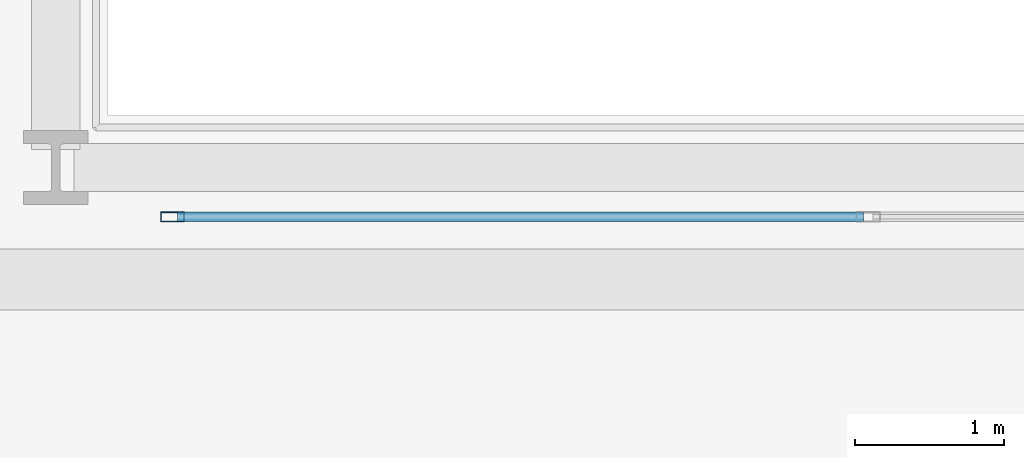
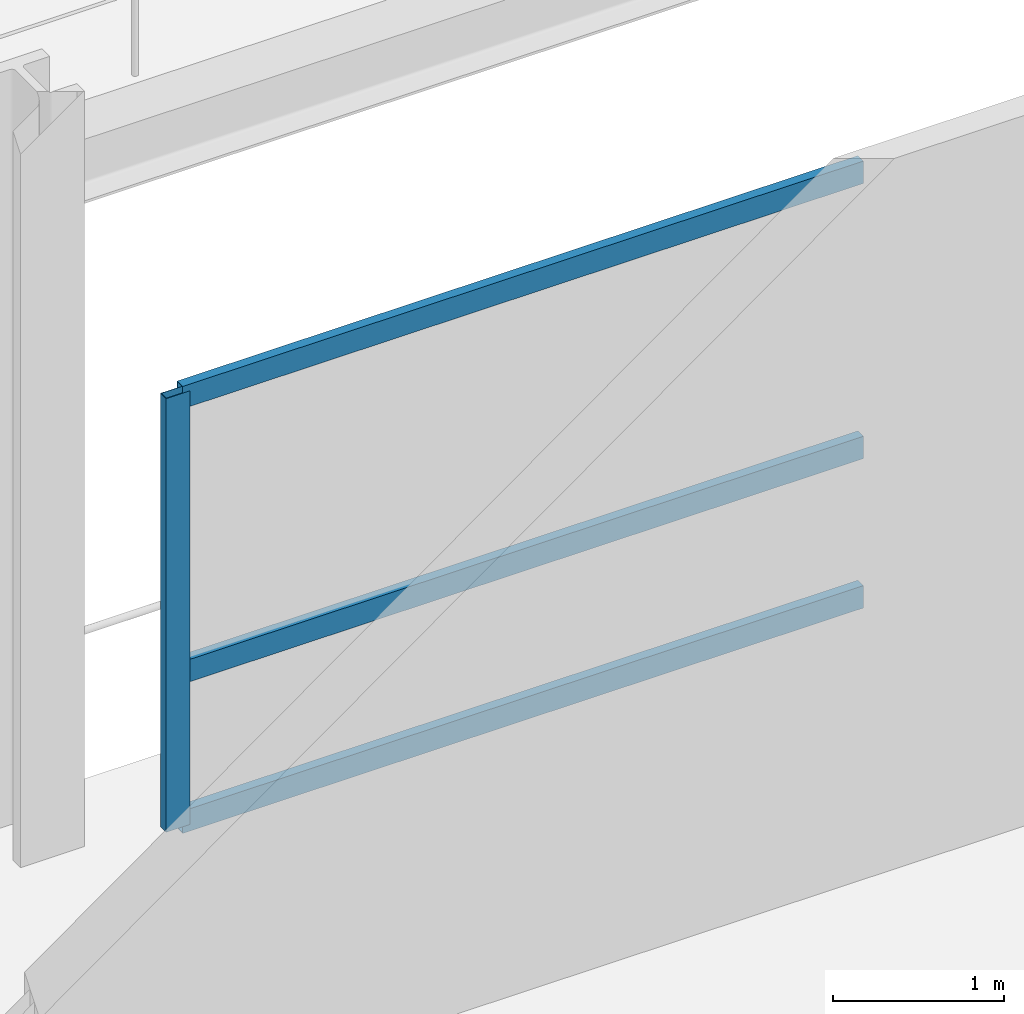
# One storey, part 10 of 31: 4 members, 1 element without a shape of its own.
"""IFC4 building model written with IfcOpenShell, lengths in metres."""

import ifcopenshell
import ifcopenshell.guid

model = None  # the IFC model being written
_history = None  # IfcOwnerHistory: only IFC2X3 demands one
_inside = {}  # id of a spatial element -> (the spatial element, [elements in it])
_under = {}  # id of a project, library or spatial element -> (it, [spatial elements below it])
_declared = {}  # id of a project -> (the project, [libraries it declares])
_typed = {}  # id of a type object -> (the type object, [elements of that type])
_made_of = {}  # id of a material, layer set ... -> (it, [elements and type objects made of it])


def new_model(schema):
    """Start an empty IFC model of exactly this schema.

    Asked for "IFC4X3", IfcOpenShell would pick the latest addendum, in which some entities
    have other attributes; the version numbers below select the first issue.
    IFC2X3 requires an IfcOwnerHistory on every rooted entity: one is made here for all.
    """
    global model, _history
    if schema == "IFC4X3":
        model = ifcopenshell.file(schema_version=(4, 3, 0, 0))
    else:
        model = ifcopenshell.file(schema=schema)
    _inside.clear()
    _under.clear()
    _declared.clear()
    _typed.clear()
    _made_of.clear()
    _history = None
    if model.schema == "IFC2X3":
        org = make("IfcOrganization", Name="unknown")
        user = make(
            "IfcPersonAndOrganization",
            ThePerson=make("IfcPerson", FamilyName="unknown"),
            TheOrganization=org,
        )
        app = make(
            "IfcApplication",
            ApplicationDeveloper=org,
            Version="unknown",
            ApplicationFullName="unknown",
            ApplicationIdentifier="unknown",
        )
        _history = make(
            "IfcOwnerHistory",
            OwningUser=user,
            OwningApplication=app,
            ChangeAction="ADDED",
            CreationDate=0,
        )
    return model


def make(cls, **values):
    """One entity of the class cls with the attributes given. An attribute that is None is left unset."""
    return model.create_entity(
        cls, **{name: value for name, value in values.items() if value is not None}
    )


def rooted(cls, **values):
    """An entity with a GlobalId (a new one), such as an element, a storey or a relation."""
    return make(cls, GlobalId=ifcopenshell.guid.new(), OwnerHistory=_history, **values)


def si_unit(unit_type, name, prefix=None):
    """IfcSIUnit, for example si_unit("LENGTHUNIT", "METRE", prefix="MILLI")."""
    return make("IfcSIUnit", UnitType=unit_type, Prefix=prefix, Name=name)


def assignment(units):
    """IfcUnitAssignment: the units of a project."""
    return None if units is None else make("IfcUnitAssignment", Units=units)


def point(xyz):
    """IfcCartesianPoint."""
    return None if xyz is None else make("IfcCartesianPoint", Coordinates=xyz)


def direction(xyz):
    """IfcDirection."""
    return None if xyz is None else make("IfcDirection", DirectionRatios=xyz)


def frame(location, z_axis=None, x_axis=None):
    """IfcAxis2Placement3D, a coordinate frame: its origin and axes. An axis left out is left unset."""
    return make(
        "IfcAxis2Placement3D",
        Location=point(location),
        Axis=direction(z_axis),
        RefDirection=direction(x_axis),
    )


def frame_2d(location, x_axis=None):
    """IfcAxis2Placement2D, a coordinate frame in the plane: its origin and x axis."""
    return make(
        "IfcAxis2Placement2D", Location=point(location), RefDirection=direction(x_axis)
    )


def origin():
    """The frame at (0, 0, 0) with its axes left unset."""
    return frame((0.0, 0.0, 0.0))


def origin_2d():
    """The frame at (0, 0) in the plane with its x axis left unset."""
    return frame_2d((0.0, 0.0))


def place(relative_to, where):
    """IfcLocalPlacement: puts the frame where relative to a parent placement (None: the world)."""
    return make(
        "IfcLocalPlacement", PlacementRelTo=relative_to, RelativePlacement=where
    )


def context(
    kind, dimensions, precision=None, world=None, true_north=None, identifier=None
):
    """IfcGeometricRepresentationContext, for example the 3D "Model" context."""
    return make(
        "IfcGeometricRepresentationContext",
        ContextIdentifier=identifier,
        ContextType=kind,
        CoordinateSpaceDimension=dimensions,
        Precision=precision,
        WorldCoordinateSystem=world,
        TrueNorth=true_north,
    )


def subcontext(parent, identifier, kind, view, scale=None):
    """IfcGeometricRepresentationSubContext, for example "Body" below "Model"."""
    return make(
        "IfcGeometricRepresentationSubContext",
        ContextIdentifier=identifier,
        ContextType=kind,
        ParentContext=parent,
        TargetScale=scale,
        TargetView=view,
    )


def project(units=None, contexts=None):
    """IfcProject with its units and contexts."""
    return rooted(
        "IfcProject",
        Name="project",
        RepresentationContexts=contexts,
        UnitsInContext=assignment(units),
    )


def spatial(cls, under=None, at=None, **own):
    """A site, building, storey or space (cls), placed at a placement, below another one or the project."""
    s = rooted(cls, ObjectPlacement=at, **own)
    if under is not None:
        _under.setdefault(under.id(), (under, []))[1].append(s)
    return s


def profile(cls, at=None, kind="AREA", **sizes):
    """A parametric profile (cls). Its sizes go by their IFC names, for example OverallWidth=200.0."""
    return make(cls, ProfileType=kind, Position=at, **sizes)


def hollow_rectangle(**sizes):
    """IfcRectangleHollowProfileDef."""
    return profile("IfcRectangleHollowProfileDef", **sizes)


def extrude(swept, where, along, depth):
    """IfcExtrudedAreaSolid: the profile swept, set in the frame where, extruded along a direction by depth."""
    return make(
        "IfcExtrudedAreaSolid",
        SweptArea=swept,
        Position=where,
        ExtrudedDirection=direction(along),
        Depth=depth,
    )


def shape(context_of_items, identifier, shape_type, items):
    """IfcShapeRepresentation: the items that make up one representation, for example the "Body"."""
    return make(
        "IfcShapeRepresentation",
        ContextOfItems=context_of_items,
        RepresentationIdentifier=identifier,
        RepresentationType=shape_type,
        Items=items,
    )


def material(Name=None, Category=None):
    """IfcMaterial."""
    return make("IfcMaterial", Name=Name, Category=Category)


def layer(
    of_material, thickness, ventilated=None, Name=None, Category=None, Priority=None
):
    """IfcMaterialLayer: one layer of a wall or slab, of a material (None: an air gap)."""
    return make(
        "IfcMaterialLayer",
        Material=of_material,
        LayerThickness=thickness,
        IsVentilated=ventilated,
        Name=Name,
        Category=Category,
        Priority=Priority,
    )


def layer_set(layers, Name=None):
    """IfcMaterialLayerSet."""
    return make("IfcMaterialLayerSet", MaterialLayers=layers, LayerSetName=Name)


def material_profile(
    of_material, cross_section, Name=None, Category=None, Priority=None
):
    """IfcMaterialProfile: a cross section and its material."""
    return make(
        "IfcMaterialProfile",
        Name=Name,
        Material=of_material,
        Profile=cross_section,
        Priority=Priority,
        Category=Category,
    )


def profile_set(profiles, Name=None, composite=None):
    """IfcMaterialProfileSet."""
    return make(
        "IfcMaterialProfileSet",
        Name=Name,
        MaterialProfiles=profiles,
        CompositeProfile=composite,
    )


def made_of(thing, what):
    """Note that an element or type object is made of a material, layer set ...; save() writes the relation."""
    if what is not None:
        _made_of.setdefault(what.id(), (what, []))[1].append(thing)
    return thing


def type_object(cls, material=None, **own):
    """A type object (cls), such as IfcWallType, which elements share."""
    return made_of(rooted(cls, **own), material)


def element(
    cls,
    number,
    at=None,
    inside=None,
    cuts=None,
    type_object=None,
    material=None,
    context=None,
    identifier="Body",
    shape_type=None,
    held_by="IfcProductDefinitionShape",
    body=None,
    shapes=None,
    **own,
):
    """One element of the class cls, such as IfcWall. Its Tag is "e" and its number.

    at: its placement. inside: the storey or other place that contains it. cuts: it is an
    opening in that element (IfcRelVoidsElement). A single representation is given by context,
    identifier, shape_type and body (its items); several are given by shapes. held_by: the class
    of the entity that holds the representations. save() writes the other relations.
    """
    e = rooted(cls, Tag="e%d" % number, ObjectPlacement=at, **own)
    if body is not None:
        shapes = [shape(context, identifier, shape_type, body)]
    if shapes is not None:
        e.Representation = make(held_by, Representations=shapes)
    if inside is not None:
        _inside.setdefault(inside.id(), (inside, []))[1].append(e)
    if cuts is not None:
        rooted(
            "IfcRelVoidsElement", RelatingBuildingElement=cuts, RelatedOpeningElement=e
        )
    if type_object is not None:
        _typed.setdefault(type_object.id(), (type_object, []))[1].append(e)
    return made_of(e, material)


def aggregate(whole, parts):
    """IfcRelAggregates: a whole, such as a stair, and the parts it consists of."""
    return rooted("IfcRelAggregates", RelatingObject=whole, RelatedObjects=parts)


def save(model, path):
    """Write the relations noted so far, then the file.

    IfcRelAggregates (storeys below a building ...), IfcRelContainedInSpatialStructure (elements
    in a storey), IfcRelDefinesByType, IfcRelAssociatesMaterial and IfcRelDeclares: one each for
    every whole, place, type object, material and project.
    """
    for whole, parts in _under.values():
        aggregate(whole, parts)
    for where, things in _inside.values():
        rooted(
            "IfcRelContainedInSpatialStructure",
            RelatedElements=things,
            RelatingStructure=where,
        )
    for kind, things in _typed.values():
        rooted("IfcRelDefinesByType", RelatedObjects=things, RelatingType=kind)
    for what, things in _made_of.values():
        rooted("IfcRelAssociatesMaterial", RelatedObjects=things, RelatingMaterial=what)
    for by, libraries in _declared.values():
        rooted("IfcRelDeclares", RelatingContext=by, RelatedDefinitions=libraries)
    model.write(path)


model = new_model("IFC4")

# Units and contexts
model_context = context("Model", 3, precision=1e-05, world=origin(), true_north=direction((0.0, 1.0)))
body_context = subcontext(model_context, "Body", "Model", "MODEL_VIEW")
ifc_project = project(units=[si_unit("LENGTHUNIT", "METRE"), si_unit("AREAUNIT", "SQUARE_METRE"), si_unit("VOLUMEUNIT", "CUBIC_METRE"), si_unit("PLANEANGLEUNIT", "RADIAN"), si_unit("MASSUNIT", "GRAM", prefix="KILO")], contexts=[model_context])

# Site, building, storey
site_placement = place(None, origin())
site = spatial("IfcSite", under=ifc_project, at=site_placement, CompositionType="ELEMENT")
building_placement = place(site_placement, origin())
building = spatial("IfcBuilding", under=site, at=building_placement, Name="Varnelok Gate Tower", CompositionType="ELEMENT")
storey_placement = place(building_placement, frame((0.0, 0.0, 16.199951171875)))
storey = spatial("IfcBuildingStorey", under=building, at=storey_placement, Name="L03", CompositionType="ELEMENT", Elevation=16.199951171875)

# Curtain wall, members
ifc_material = material(Name="Anodized Aluminum Alloy 6063-T6", Category="aluminium")
ifc_layer = layer(ifc_material, 0.179931640625)
ifc_layer_set = layer_set([ifc_layer], Name="Anodized Aluminum Alloy 6063-T6")
curtain_wall_type = type_object("IfcCurtainWallType", Name="CW2-ATRIUM-GLAZING", PredefinedType="USERDEFINED", material=ifc_layer_set)
curtain_wall_placement = place(storey_placement, origin())
curtain_wall = element("IfcCurtainWall", 1, at=curtain_wall_placement, inside=storey, type_object=curtain_wall_type, Name="L03 Internal Atrium Gallery Curtain Wall", ObjectType="UNITISED CURTAIN WALL", PredefinedType="USERDEFINED")
ifc_material_profile_1 = material_profile(ifc_material, hollow_rectangle(XDim=0.06494140625, YDim=0.159912109375, WallThickness=0.00390625, at=origin_2d()), Name="ALU160X65X4")
ifc_profile_set_1 = profile_set([ifc_material_profile_1], Name="Anodized Aluminum Alloy 6063-T6")
member_type_1 = type_object("IfcMemberType", Name="CW-MULL-160", PredefinedType="MULLION", material=ifc_profile_set_1)
member_1_placement = place(storey_placement, frame((34.532470703125, 19.219970703125, 0.0), z_axis=(0.0, 0.0, 1.0), x_axis=(0.0, 1.0, 0.0)))
member_1 = element("IfcMember", 2, at=member_1_placement, type_object=member_type_1, Name="CW2 mullion 1", PredefinedType="MULLION", context=body_context, shape_type="SweptSolid", body=[
    extrude(hollow_rectangle(XDim=0.06494140625, YDim=0.159912109375, WallThickness=0.00390625, at=origin_2d()), origin(), (0.0, 0.0, 1.0), 3.10009765625),
])
ifc_material_profile_2 = material_profile(ifc_material, hollow_rectangle(XDim=0.06494140625, YDim=0.159912109375, WallThickness=0.00390625, at=origin_2d()), Name="ALU160X65X4")
ifc_profile_set_2 = profile_set([ifc_material_profile_2], Name="Anodized Aluminum Alloy 6063-T6")
member_type_2 = type_object("IfcMemberType", Name="CW-TRAN-160", PredefinedType="USERDEFINED", material=ifc_profile_set_2)
member_2_placement = place(storey_placement, frame((34.56494140625, 19.219970703125, 0.032470703125), z_axis=(1.0, 0.0, 0.0), x_axis=(0.0, 1.0, 0.0)))
member_2 = element("IfcMember", 3, at=member_2_placement, type_object=member_type_2, Name="CW2 transom 1.1", ObjectType="TRANSOM", PredefinedType="USERDEFINED", context=body_context, shape_type="SweptSolid", body=[
    extrude(hollow_rectangle(XDim=0.06494140625, YDim=0.159912109375, WallThickness=0.00390625, at=origin_2d()), origin(), (0.0, 0.0, 1.0), 4.6025390625),
])
member_3_placement = place(storey_placement, frame((34.56494140625, 19.219970703125, 1.10009765625), z_axis=(1.0, 0.0, 0.0), x_axis=(0.0, 1.0, 0.0)))
member_3 = element("IfcMember", 4, at=member_3_placement, type_object=member_type_2, Name="CW2 transom 1.2", ObjectType="TRANSOM", PredefinedType="USERDEFINED", context=body_context, shape_type="SweptSolid", body=[
    extrude(hollow_rectangle(XDim=0.06494140625, YDim=0.159912109375, WallThickness=0.00390625, at=origin_2d()), origin(), (0.0, 0.0, 1.0), 4.6025390625),
])
member_4_placement = place(storey_placement, frame((34.56494140625, 19.219970703125, 3.067626953125), z_axis=(1.0, 0.0, 0.0), x_axis=(0.0, 1.0, 0.0)))
member_4 = element("IfcMember", 5, at=member_4_placement, type_object=member_type_2, Name="CW2 transom 1.3", ObjectType="TRANSOM", PredefinedType="USERDEFINED", context=body_context, shape_type="SweptSolid", body=[
    extrude(hollow_rectangle(XDim=0.06494140625, YDim=0.159912109375, WallThickness=0.00390625, at=origin_2d()), origin(), (0.0, 0.0, 1.0), 4.6025390625),
])
aggregate(curtain_wall, [member_1, member_2, member_3, member_4])

save(model, "model.ifc")
